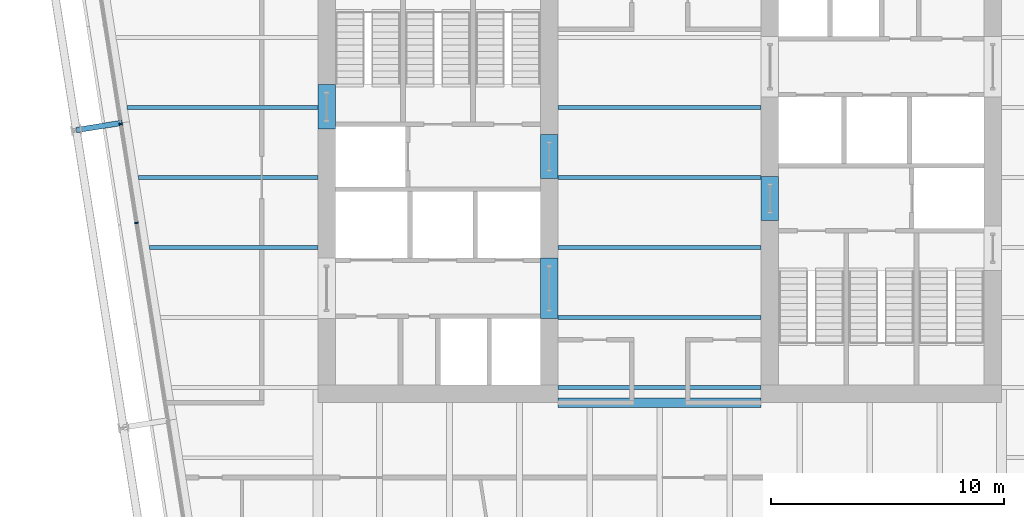
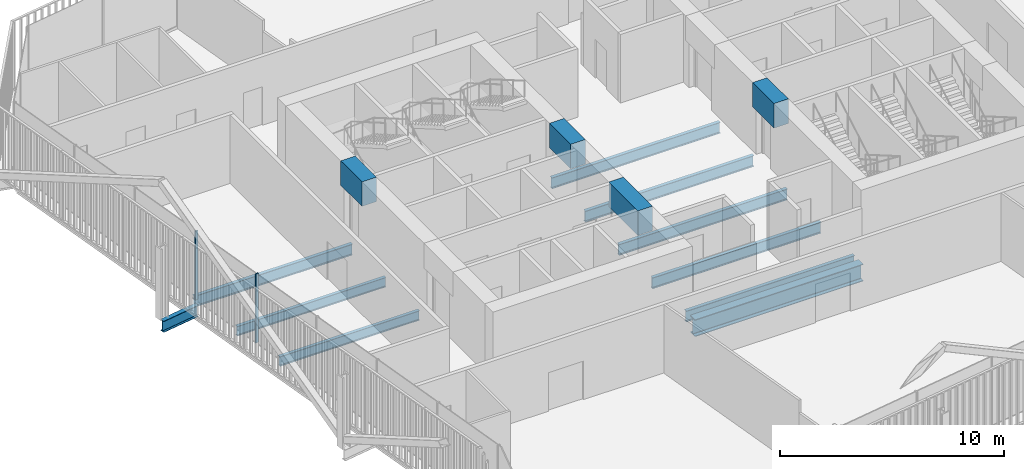
# One storey, part 6 of 22: 14 beams, 2 members, 1 element without a shape of its own.
"""IFC4 building model written with IfcOpenShell, lengths in metres."""

from ifc_helpers import new_model, si_unit, direction, frame, origin, origin_2d, place, context, subcontext, project, spatial, rectangle, i_section, extrude, material, layer, layer_set, material_profile, profile_set, type_object, element, aggregate, save


model = new_model("IFC4")

# Units and contexts
model_context = context("Model", 3, precision=1e-05, world=origin(), true_north=direction((0.0, 1.0)))
body_context = subcontext(model_context, "Body", "Model", "MODEL_VIEW")
ifc_project = project(units=[si_unit("LENGTHUNIT", "METRE"), si_unit("AREAUNIT", "SQUARE_METRE"), si_unit("VOLUMEUNIT", "CUBIC_METRE"), si_unit("PLANEANGLEUNIT", "RADIAN"), si_unit("MASSUNIT", "GRAM", prefix="KILO")], contexts=[model_context])

# Site, building, storey
site_placement = place(None, origin())
site = spatial("IfcSite", under=ifc_project, at=site_placement, CompositionType="ELEMENT")
building_placement = place(site_placement, origin())
building = spatial("IfcBuilding", under=site, at=building_placement, Name="Millrace Tower", CompositionType="ELEMENT")
storey_placement = place(building_placement, frame((0.0, 0.0, 137.300048828125)))
storey = spatial("IfcBuildingStorey", under=building, at=storey_placement, Name="L30", CompositionType="ELEMENT", Elevation=137.300048828125)

# Curtain wall, members
ifc_material_1 = material(Name="Aluminium and glass", Category="aluminium")
ifc_layer = layer(ifc_material_1, 0.14990234375)
ifc_layer_set = layer_set([ifc_layer], Name="Aluminium and glass")
curtain_wall_type = type_object("IfcCurtainWallType", Name="CW-1 office vision curtain wall", PredefinedType="NOTDEFINED", material=ifc_layer_set)
curtain_wall_placement = place(storey_placement, origin())
curtain_wall = element("IfcCurtainWall", 1, at=curtain_wall_placement, inside=storey, type_object=curtain_wall_type, Name="Curtain wall C-F08 L30", PredefinedType="NOTDEFINED")
ifc_material_2 = material(Name="Aluminium", Category="aluminium")
ifc_material_profile_1 = material_profile(ifc_material_2, rectangle(XDim=0.06494140625, YDim=0.14990234375, at=origin_2d()))
ifc_profile_set_1 = profile_set([ifc_material_profile_1], Name="Aluminium")
member_type = type_object("IfcMemberType", Name="CW-1 office vision curtain wall mullion", PredefinedType="MULLION", material=ifc_profile_set_1)
member_1_placement = place(storey_placement, frame((-23.088623046875, 2.300537109375, 0.139892578125), z_axis=(0.0, 0.0, 1.0), x_axis=(0.15643447328, -0.98768833929, 0.0)))
member_1 = element("IfcMember", 2, at=member_1_placement, type_object=member_type, Name="CW1 mullion C-F08.4", PredefinedType="MULLION", context=body_context, shape_type="SweptSolid", body=[
    extrude(rectangle(XDim=0.06494140625, YDim=0.14990234375, at=origin_2d()), origin(), (0.0, 0.0, 1.0), 3.760009765625),
])
member_2_placement = place(storey_placement, frame((-22.416015625, -1.946533203125, 0.139892578125), z_axis=(0.0, 0.0, 1.0), x_axis=(0.15643447328, -0.98768833929, 0.0)))
member_2 = element("IfcMember", 3, at=member_2_placement, type_object=member_type, Name="CW1 mullion C-F08.5", PredefinedType="MULLION", context=body_context, shape_type="SweptSolid", body=[
    extrude(rectangle(XDim=0.06494140625, YDim=0.14990234375, at=origin_2d()), origin(), (0.0, 0.0, 1.0), 3.760009765625),
])
aggregate(curtain_wall, [member_1, member_2])

# Beams
ifc_material_3 = material(Name="Concrete C70", Category="concrete")
ifc_material_profile_2 = material_profile(ifc_material_3, rectangle(XDim=0.75, YDim=1.340087890625, at=origin_2d()))
ifc_profile_set_2 = profile_set([ifc_material_profile_2], Name="Concrete C70")
beam_type_1 = type_object("IfcBeamType", Name="Coupling beam 750 x 1340 Concrete C70, 1300 opening", PredefinedType="BEAM", material=ifc_profile_set_2)
beam_1_placement = place(storey_placement, frame((-14.27490234375, 2.080078125, 3.070068359375), z_axis=(0.0, 1.0, 0.0), x_axis=(-1.0, 0.0, 0.0)))
element("IfcBeam", 4, at=beam_1_placement, inside=storey, type_object=beam_type_1, Name="Coupling beam W L30", PredefinedType="BEAM", context=body_context, shape_type="SweptSolid", body=[
    extrude(rectangle(XDim=0.75, YDim=1.340087890625, at=origin_2d()), origin(), (0.0, 0.0, 1.0), 1.89990234375),
])
for number, where, z_axis, x_axis, name in (
    (5, (-4.72509765625, -0.050048828125, 3.070068359375), (0.0, 1.0, 0.0), (-1.0, 0.0, 0.0), "Coupling beam W L30"),
    (6, (4.72509765625, 0.050048828125, 3.070068359375), (0.0, -1.0, 0.0), (1.0, 0.0, 0.0), "Coupling beam E L30"),
):
    element("IfcBeam", number, at=place(storey_placement, frame(where, z_axis=z_axis, x_axis=x_axis)), inside=storey, type_object=beam_type_1, Name=name, PredefinedType="BEAM", context=body_context, shape_type="SweptSolid", body=[
        extrude(rectangle(XDim=0.75, YDim=1.340087890625, at=origin_2d()), origin(), (0.0, 0.0, 1.0), 1.900146484375),
    ])
ifc_material_4 = material(Name="Concrete C70", Category="concrete")
ifc_material_profile_3 = material_profile(ifc_material_4, rectangle(XDim=0.75, YDim=1.340087890625, at=origin_2d()))
ifc_profile_set_3 = profile_set([ifc_material_profile_3], Name="Concrete C70")
beam_type_2 = type_object("IfcBeamType", Name="Coupling beam 750 x 1340 Concrete C70, 2000 opening", PredefinedType="BEAM", material=ifc_profile_set_3)
beam_2_placement = place(storey_placement, frame((-4.72509765625, -6.050048828125, 3.070068359375), z_axis=(0.0, 1.0, 0.0), x_axis=(-1.0, 0.0, 0.0)))
element("IfcBeam", 7, at=beam_2_placement, inside=storey, type_object=beam_type_2, Name="Coupling beam W L30", PredefinedType="BEAM", context=body_context, shape_type="SweptSolid", body=[
    extrude(rectangle(XDim=0.75, YDim=1.340087890625, at=origin_2d()), origin(), (0.0, 0.0, 1.0), 2.60009765625),
])
ifc_material_5 = material(Name="Steel ASTM A992 Grade 50", Category="steel")
ifc_material_profile_4 = material_profile(ifc_material_5, i_section(OverallWidth=0.1650390625, OverallDepth=0.52587890625, WebThickness=0.0087890625, FlangeThickness=0.011474609375, FilletRadius=0.0126953125, at=origin_2d()))
ifc_profile_set_4 = profile_set([ifc_material_profile_4], Name="Steel ASTM A992 Grade 50")
beam_type_3 = type_object("IfcBeamType", Name="Floor beam W21x44", PredefinedType="JOIST", material=ifc_profile_set_4)
beam_3_placement = place(storey_placement, frame((-21.862060546875, -3.0, -0.4228515625), z_axis=(1.0, 0.0, 0.0), x_axis=(0.0, 1.0, 0.0)))
element("IfcBeam", 8, at=beam_3_placement, inside=storey, type_object=beam_type_3, Name="BM-C-L30-S1-S017", PredefinedType="JOIST", context=body_context, shape_type="SweptSolid", body=[
    extrude(i_section(OverallWidth=0.1650390625, OverallDepth=0.52587890625, WebThickness=0.0087890625, FlangeThickness=0.011474609375, FilletRadius=0.0126953125, at=origin_2d()), origin(), (0.0, 0.0, 1.0), 7.212158203125),
])
beam_4_placement = place(storey_placement, frame((-22.337158203125, 0.0, -0.4228515625), z_axis=(1.0, 0.0, 0.0), x_axis=(0.0, 1.0, 0.0)))
element("IfcBeam", 9, at=beam_4_placement, inside=storey, type_object=beam_type_3, Name="BM-C-L30-S1-S020", PredefinedType="JOIST", context=body_context, shape_type="SweptSolid", body=[
    extrude(i_section(OverallWidth=0.1650390625, OverallDepth=0.52587890625, WebThickness=0.0087890625, FlangeThickness=0.011474609375, FilletRadius=0.0126953125, at=origin_2d()), origin(), (0.0, 0.0, 1.0), 7.687255859375),
])
ifc_material_6 = material(Name="Steel ASTM A992 Grade 50", Category="steel")
ifc_material_profile_5 = material_profile(ifc_material_6, i_section(OverallWidth=0.177978515625, OverallDepth=0.599365234375, WebThickness=0.010009765625, FlangeThickness=0.012939453125, FilletRadius=0.012939453125, at=origin_2d()))
ifc_profile_set_5 = profile_set([ifc_material_profile_5], Name="Steel ASTM A992 Grade 50")
beam_type_4 = type_object("IfcBeamType", Name="Floor beam W24x55", PredefinedType="JOIST", material=ifc_profile_set_5)
for number, where, z_axis, x_axis, name in (
    (10, (-4.35009765625, -9.0, -0.459716796875), (1.0, 0.0, 0.0), (0.0, 1.0, 0.0), "BM-C-L30-S1-S010"),
    (11, (-4.35009765625, -6.0, -0.459716796875), (1.0, 0.0, 0.0), (0.0, 1.0, 0.0), "BM-C-L30-S1-S013"),
    (12, (-4.35009765625, -3.0, -0.459716796875), (1.0, 0.0, 0.0), (0.0, 1.0, 0.0), "BM-C-L30-S1-S016"),
    (13, (-4.35009765625, 0.0, -0.459716796875), (1.0, 0.0, 0.0), (0.0, 1.0, 0.0), "BM-C-L30-S1-S019"),
    (14, (-4.35009765625, 3.0, -0.459716796875), (1.0, 0.0, 0.0), (0.0, 1.0, 0.0), "BM-C-L30-S1-S022"),
):
    element("IfcBeam", number, at=place(storey_placement, frame(where, z_axis=z_axis, x_axis=x_axis)), inside=storey, type_object=beam_type_4, Name=name, PredefinedType="JOIST", context=body_context, shape_type="SweptSolid", body=[
        extrude(i_section(OverallWidth=0.177978515625, OverallDepth=0.599365234375, WebThickness=0.010009765625, FlangeThickness=0.012939453125, FilletRadius=0.012939453125, at=origin_2d()), origin(), (0.0, 0.0, 1.0), 8.7001953125),
    ])
beam_5_placement = place(storey_placement, frame((-22.812255859375, 3.0, -0.459716796875), z_axis=(1.0, 0.0, 0.0), x_axis=(0.0, 1.0, 0.0)))
element("IfcBeam", 15, at=beam_5_placement, inside=storey, type_object=beam_type_4, Name="BM-C-L30-S1-S023", PredefinedType="JOIST", context=body_context, shape_type="SweptSolid", body=[
    extrude(i_section(OverallWidth=0.177978515625, OverallDepth=0.599365234375, WebThickness=0.010009765625, FlangeThickness=0.012939453125, FilletRadius=0.012939453125, at=origin_2d()), origin(), (0.0, 0.0, 1.0), 8.162353515625),
])
ifc_material_7 = material(Name="Steel ASTM A992 Grade 50", Category="steel")
ifc_material_profile_6 = material_profile(ifc_material_7, i_section(OverallWidth=0.419189453125, OverallDepth=0.927001953125, WebThickness=0.019287109375, FlangeThickness=0.031982421875, FilletRadius=0.024169921875, at=origin_2d()))
ifc_profile_set_6 = profile_set([ifc_material_profile_6], Name="Steel ASTM A992 Grade 50")
beam_type_5 = type_object("IfcBeamType", Name="Girder short span W36x231", PredefinedType="BEAM", material=ifc_profile_set_6)
beam_6_placement = place(storey_placement, frame((-4.35009765625, -9.64990234375, -0.62353515625), z_axis=(1.0, 0.0, 0.0), x_axis=(0.0, 1.0, 0.0)))
element("IfcBeam", 16, at=beam_6_placement, inside=storey, type_object=beam_type_5, Name="BM-C-L30-S1-G062", PredefinedType="BEAM", context=body_context, shape_type="SweptSolid", body=[
    extrude(i_section(OverallWidth=0.419189453125, OverallDepth=0.927001953125, WebThickness=0.019287109375, FlangeThickness=0.031982421875, FilletRadius=0.024169921875, at=origin_2d()), origin(), (0.0, 0.0, 1.0), 8.7001953125),
])
ifc_material_8 = material(Name="Steel ASTM A992 Grade 50", Category="steel")
ifc_material_profile_7 = material_profile(ifc_material_8, i_section(OverallWidth=0.23046875, OverallDepth=0.6171875, WebThickness=0.01318359375, FlangeThickness=0.022216796875, FilletRadius=0.012939453125, at=origin_2d()))
ifc_profile_set_7 = profile_set([ifc_material_profile_7], Name="Steel ASTM A992 Grade 50")
beam_type_6 = type_object("IfcBeamType", Name="Link beam W24x94", PredefinedType="BEAM", material=ifc_profile_set_7)
beam_7_placement = place(storey_placement, frame((-23.019775390625, 2.344482421875, -0.46875), z_axis=(-0.987678691416, -0.156495375404, 0.0), x_axis=(0.156495375404, -0.987678691416, 0.0)))
element("IfcBeam", 17, at=beam_7_placement, inside=storey, type_object=beam_type_6, Name="LNK-C-L30-S1-03", PredefinedType="BEAM", context=body_context, shape_type="SweptSolid", body=[
    extrude(i_section(OverallWidth=0.23046875, OverallDepth=0.6171875, WebThickness=0.01318359375, FlangeThickness=0.022216796875, FilletRadius=0.012939453125, at=origin_2d()), origin(), (0.0, 0.0, 1.0), 2.0),
])

save(model, "model.ifc")
